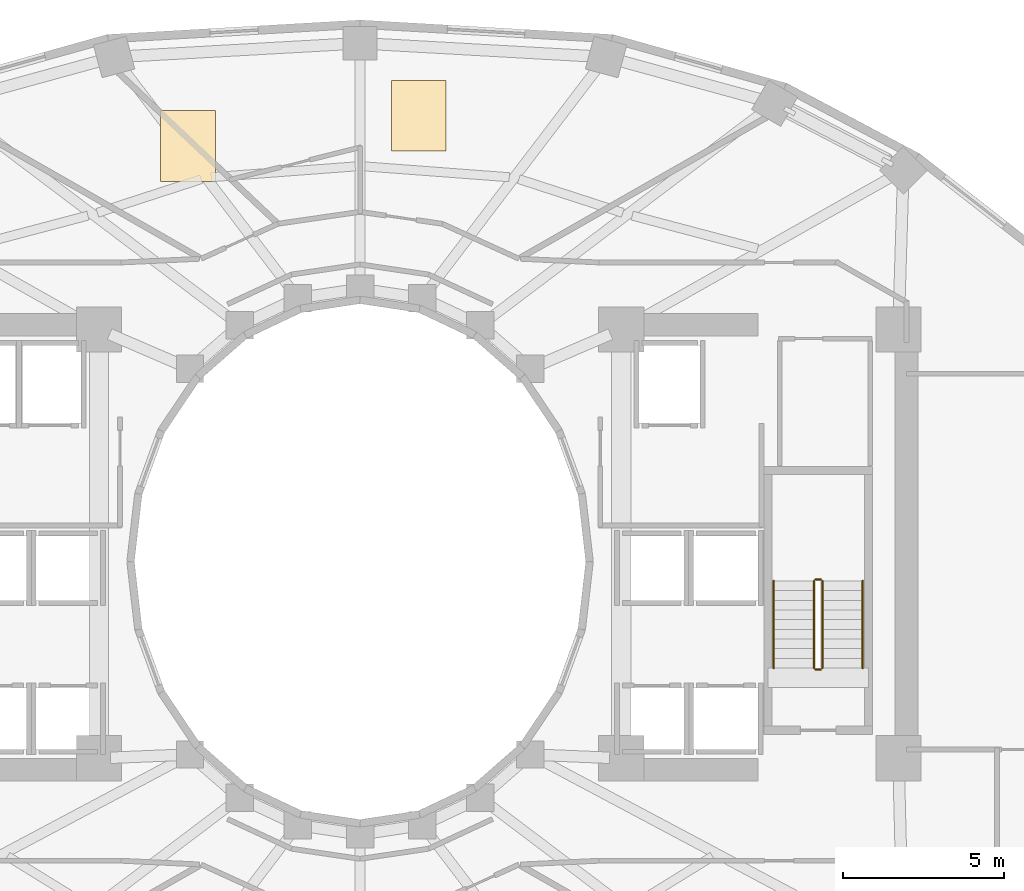
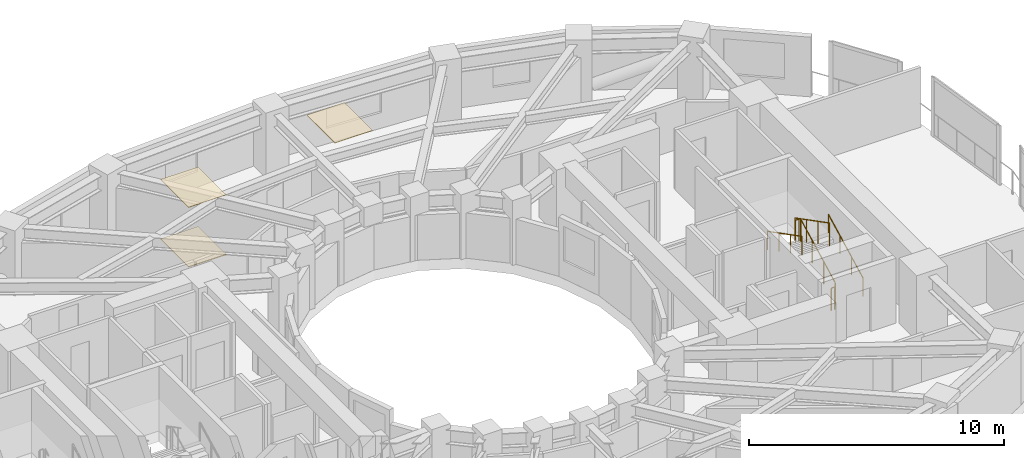
# One storey, part 12 of 13: 6 railings, 3 coverings.
"""IFC4 building model written with IfcOpenShell, lengths in metres."""

import ifcopenshell
import ifcopenshell.guid

model = None  # the IFC model being written
_history = None  # IfcOwnerHistory: only IFC2X3 demands one
_inside = {}  # id of a spatial element -> (the spatial element, [elements in it])
_under = {}  # id of a project, library or spatial element -> (it, [spatial elements below it])
_declared = {}  # id of a project -> (the project, [libraries it declares])
_typed = {}  # id of a type object -> (the type object, [elements of that type])
_made_of = {}  # id of a material, layer set ... -> (it, [elements and type objects made of it])


def new_model(schema):
    """Start an empty IFC model of exactly this schema.

    Asked for "IFC4X3", IfcOpenShell would pick the latest addendum, in which some entities
    have other attributes; the version numbers below select the first issue.
    IFC2X3 requires an IfcOwnerHistory on every rooted entity: one is made here for all.
    """
    global model, _history
    if schema == "IFC4X3":
        model = ifcopenshell.file(schema_version=(4, 3, 0, 0))
    else:
        model = ifcopenshell.file(schema=schema)
    _inside.clear()
    _under.clear()
    _declared.clear()
    _typed.clear()
    _made_of.clear()
    _history = None
    if model.schema == "IFC2X3":
        org = make("IfcOrganization", Name="unknown")
        user = make(
            "IfcPersonAndOrganization",
            ThePerson=make("IfcPerson", FamilyName="unknown"),
            TheOrganization=org,
        )
        app = make(
            "IfcApplication",
            ApplicationDeveloper=org,
            Version="unknown",
            ApplicationFullName="unknown",
            ApplicationIdentifier="unknown",
        )
        _history = make(
            "IfcOwnerHistory",
            OwningUser=user,
            OwningApplication=app,
            ChangeAction="ADDED",
            CreationDate=0,
        )
    return model


def make(cls, **values):
    """One entity of the class cls with the attributes given. An attribute that is None is left unset."""
    return model.create_entity(
        cls, **{name: value for name, value in values.items() if value is not None}
    )


def rooted(cls, **values):
    """An entity with a GlobalId (a new one), such as an element, a storey or a relation."""
    return make(cls, GlobalId=ifcopenshell.guid.new(), OwnerHistory=_history, **values)


def si_unit(unit_type, name, prefix=None):
    """IfcSIUnit, for example si_unit("LENGTHUNIT", "METRE", prefix="MILLI")."""
    return make("IfcSIUnit", UnitType=unit_type, Prefix=prefix, Name=name)


def assignment(units):
    """IfcUnitAssignment: the units of a project."""
    return None if units is None else make("IfcUnitAssignment", Units=units)


def point(xyz):
    """IfcCartesianPoint."""
    return None if xyz is None else make("IfcCartesianPoint", Coordinates=xyz)


def direction(xyz):
    """IfcDirection."""
    return None if xyz is None else make("IfcDirection", DirectionRatios=xyz)


def frame(location, z_axis=None, x_axis=None):
    """IfcAxis2Placement3D, a coordinate frame: its origin and axes. An axis left out is left unset."""
    return make(
        "IfcAxis2Placement3D",
        Location=point(location),
        Axis=direction(z_axis),
        RefDirection=direction(x_axis),
    )


def frame_2d(location, x_axis=None):
    """IfcAxis2Placement2D, a coordinate frame in the plane: its origin and x axis."""
    return make(
        "IfcAxis2Placement2D", Location=point(location), RefDirection=direction(x_axis)
    )


def origin():
    """The frame at (0, 0, 0) with its axes left unset."""
    return frame((0.0, 0.0, 0.0))


def origin_2d():
    """The frame at (0, 0) in the plane with its x axis left unset."""
    return frame_2d((0.0, 0.0))


def place(relative_to, where):
    """IfcLocalPlacement: puts the frame where relative to a parent placement (None: the world)."""
    return make(
        "IfcLocalPlacement", PlacementRelTo=relative_to, RelativePlacement=where
    )


def context(
    kind, dimensions, precision=None, world=None, true_north=None, identifier=None
):
    """IfcGeometricRepresentationContext, for example the 3D "Model" context."""
    return make(
        "IfcGeometricRepresentationContext",
        ContextIdentifier=identifier,
        ContextType=kind,
        CoordinateSpaceDimension=dimensions,
        Precision=precision,
        WorldCoordinateSystem=world,
        TrueNorth=true_north,
    )


def subcontext(parent, identifier, kind, view, scale=None):
    """IfcGeometricRepresentationSubContext, for example "Body" below "Model"."""
    return make(
        "IfcGeometricRepresentationSubContext",
        ContextIdentifier=identifier,
        ContextType=kind,
        ParentContext=parent,
        TargetScale=scale,
        TargetView=view,
    )


def project(units=None, contexts=None):
    """IfcProject with its units and contexts."""
    return rooted(
        "IfcProject",
        Name="project",
        RepresentationContexts=contexts,
        UnitsInContext=assignment(units),
    )


def spatial(cls, under=None, at=None, **own):
    """A site, building, storey or space (cls), placed at a placement, below another one or the project."""
    s = rooted(cls, ObjectPlacement=at, **own)
    if under is not None:
        _under.setdefault(under.id(), (under, []))[1].append(s)
    return s


def polyline(points):
    """IfcPolyline through the points."""
    return make("IfcPolyline", Points=[point(p) for p in points])


def profile(cls, at=None, kind="AREA", **sizes):
    """A parametric profile (cls). Its sizes go by their IFC names, for example OverallWidth=200.0."""
    return make(cls, ProfileType=kind, Position=at, **sizes)


def circle(**sizes):
    """IfcCircleProfileDef."""
    return profile("IfcCircleProfileDef", **sizes)


def outline(outer, holes=None, kind="AREA"):
    """IfcArbitraryClosedProfileDef: a profile drawn as a closed curve; with holes, ...WithVoids."""
    if holes is None:
        return make("IfcArbitraryClosedProfileDef", ProfileType=kind, OuterCurve=outer)
    return make(
        "IfcArbitraryProfileDefWithVoids",
        ProfileType=kind,
        OuterCurve=outer,
        InnerCurves=holes,
    )


def extrude(swept, where, along, depth):
    """IfcExtrudedAreaSolid: the profile swept, set in the frame where, extruded along a direction by depth."""
    return make(
        "IfcExtrudedAreaSolid",
        SweptArea=swept,
        Position=where,
        ExtrudedDirection=direction(along),
        Depth=depth,
    )


def shape(context_of_items, identifier, shape_type, items):
    """IfcShapeRepresentation: the items that make up one representation, for example the "Body"."""
    return make(
        "IfcShapeRepresentation",
        ContextOfItems=context_of_items,
        RepresentationIdentifier=identifier,
        RepresentationType=shape_type,
        Items=items,
    )


def material(Name=None, Category=None):
    """IfcMaterial."""
    return make("IfcMaterial", Name=Name, Category=Category)


def layer(
    of_material, thickness, ventilated=None, Name=None, Category=None, Priority=None
):
    """IfcMaterialLayer: one layer of a wall or slab, of a material (None: an air gap)."""
    return make(
        "IfcMaterialLayer",
        Material=of_material,
        LayerThickness=thickness,
        IsVentilated=ventilated,
        Name=Name,
        Category=Category,
        Priority=Priority,
    )


def layer_set(layers, Name=None):
    """IfcMaterialLayerSet."""
    return make("IfcMaterialLayerSet", MaterialLayers=layers, LayerSetName=Name)


def made_of(thing, what):
    """Note that an element or type object is made of a material, layer set ...; save() writes the relation."""
    if what is not None:
        _made_of.setdefault(what.id(), (what, []))[1].append(thing)
    return thing


def type_object(cls, material=None, **own):
    """A type object (cls), such as IfcWallType, which elements share."""
    return made_of(rooted(cls, **own), material)


def element(
    cls,
    number,
    at=None,
    inside=None,
    cuts=None,
    type_object=None,
    material=None,
    context=None,
    identifier="Body",
    shape_type=None,
    held_by="IfcProductDefinitionShape",
    body=None,
    shapes=None,
    **own,
):
    """One element of the class cls, such as IfcWall. Its Tag is "e" and its number.

    at: its placement. inside: the storey or other place that contains it. cuts: it is an
    opening in that element (IfcRelVoidsElement). A single representation is given by context,
    identifier, shape_type and body (its items); several are given by shapes. held_by: the class
    of the entity that holds the representations. save() writes the other relations.
    """
    e = rooted(cls, Tag="e%d" % number, ObjectPlacement=at, **own)
    if body is not None:
        shapes = [shape(context, identifier, shape_type, body)]
    if shapes is not None:
        e.Representation = make(held_by, Representations=shapes)
    if inside is not None:
        _inside.setdefault(inside.id(), (inside, []))[1].append(e)
    if cuts is not None:
        rooted(
            "IfcRelVoidsElement", RelatingBuildingElement=cuts, RelatedOpeningElement=e
        )
    if type_object is not None:
        _typed.setdefault(type_object.id(), (type_object, []))[1].append(e)
    return made_of(e, material)


def aggregate(whole, parts):
    """IfcRelAggregates: a whole, such as a stair, and the parts it consists of."""
    return rooted("IfcRelAggregates", RelatingObject=whole, RelatedObjects=parts)


def save(model, path):
    """Write the relations noted so far, then the file.

    IfcRelAggregates (storeys below a building ...), IfcRelContainedInSpatialStructure (elements
    in a storey), IfcRelDefinesByType, IfcRelAssociatesMaterial and IfcRelDeclares: one each for
    every whole, place, type object, material and project.
    """
    for whole, parts in _under.values():
        aggregate(whole, parts)
    for where, things in _inside.values():
        rooted(
            "IfcRelContainedInSpatialStructure",
            RelatedElements=things,
            RelatingStructure=where,
        )
    for kind, things in _typed.values():
        rooted("IfcRelDefinesByType", RelatedObjects=things, RelatingType=kind)
    for what, things in _made_of.values():
        rooted("IfcRelAssociatesMaterial", RelatedObjects=things, RelatingMaterial=what)
    for by, libraries in _declared.values():
        rooted("IfcRelDeclares", RelatingContext=by, RelatedDefinitions=libraries)
    model.write(path)


model = new_model("IFC4")

# Units and contexts
model_context = context("Model", 3, precision=1e-05, world=origin(), true_north=direction((0.0, 1.0)))
body_context = subcontext(model_context, "Body", "Model", "MODEL_VIEW")
ifc_project = project(units=[si_unit("LENGTHUNIT", "METRE"), si_unit("AREAUNIT", "SQUARE_METRE"), si_unit("VOLUMEUNIT", "CUBIC_METRE"), si_unit("PLANEANGLEUNIT", "RADIAN"), si_unit("MASSUNIT", "GRAM", prefix="KILO")], contexts=[model_context])

# Site, building, storey
site_placement = place(None, origin())
site = spatial("IfcSite", under=ifc_project, at=site_placement, CompositionType="ELEMENT")
building_placement = place(site_placement, origin())
building = spatial("IfcBuilding", under=site, at=building_placement, Name="Solvane Sanctuary Tower", CompositionType="ELEMENT")
storey_placement = place(building_placement, frame((0.0, 0.0, 85.60009765625)))
storey = spatial("IfcBuildingStorey", under=building, at=storey_placement, Name="L25", CompositionType="ELEMENT", Elevation=85.60009765625)

# Coverings
ifc_material_1 = material(Name="Acoustic Gypsum Partition Board")
ifc_layer_1 = layer(ifc_material_1, 0.02490234375, Name="Acoustic Gypsum Partition Board")
ifc_layer_set_1 = layer_set([ifc_layer_1], Name="Acoustic Gypsum Partition Board")
covering_type_1 = type_object("IfcCoveringType", Name="Covering CLG-ACOUST", PredefinedType="CEILING", material=ifc_layer_set_1)
covering_1_placement = place(storey_placement, frame((0.0, 0.0, 2.849853515625)))
element("IfcCovering", 1, at=covering_1_placement, inside=storey, type_object=covering_type_1, Name="L25 Unit Acoustic Ceiling Panel 1", PredefinedType="CEILING", context=body_context, shape_type="SweptSolid", body=[
    extrude(outline(polyline([(32.970947265625, 35.73095703125), (34.6708984375, 35.73095703125), (34.6708984375, 37.930908203125), (32.970947265625, 37.930908203125), (32.970947265625, 35.73095703125)])), origin(), (0.0, 0.0, 1.0), 0.030029296875),
])
covering_2_placement = place(storey_placement, frame((0.0, 0.0, 2.849853515625)))
element("IfcCovering", 2, at=covering_2_placement, inside=storey, type_object=covering_type_1, Name="L25 Unit Acoustic Ceiling Panel 2", PredefinedType="CEILING", context=body_context, shape_type="SweptSolid", body=[
    extrude(outline(polyline([(25.81201171875, 34.7880859375), (27.511962890625, 34.7880859375), (27.511962890625, 36.988037109375), (25.81201171875, 36.988037109375), (25.81201171875, 34.7880859375)])), origin(), (0.0, 0.0, 1.0), 0.030029296875),
])
ifc_material_2 = material(Name="Ceramic Tile Finish")
ifc_layer_2 = layer(ifc_material_2, 0.030029296875, Name="Ceramic Tile Finish")
ifc_layer_set_2 = layer_set([ifc_layer_2], Name="Ceramic Tile Finish")
covering_type_2 = type_object("IfcCoveringType", Name="Covering FLR-TERRAZZO", PredefinedType="FLOORING", material=ifc_layer_set_2)
covering_3_placement = place(storey_placement, origin())
element("IfcCovering", 3, at=covering_3_placement, inside=storey, type_object=covering_type_2, Name="L25 Unit Terrazzo Inlay 2", PredefinedType="FLOORING", context=body_context, shape_type="SweptSolid", body=[
    extrude(outline(polyline([(25.81201171875, 34.7880859375), (27.511962890625, 34.7880859375), (27.511962890625, 36.988037109375), (25.81201171875, 36.988037109375), (25.81201171875, 34.7880859375)])), origin(), (0.0, 0.0, 1.0), 0.034912109375),
])

# Railings
ifc_material_3 = material(Name="Architectural Stainless Steel 316", Category="steel")
railing_type_1 = type_object("IfcRailingType", Name="Railing GR-BALC-1150", PredefinedType="BALUSTRADE", material=ifc_material_3)
railing_1_placement = place(storey_placement, frame((46.340087890625, 19.699951171875, 0.15478515625)))
element("IfcRailing", 4, at=railing_1_placement, inside=storey, type_object=railing_type_1, Name="L25 ST-2 stair guard 1", PredefinedType="BALUSTRADE", context=body_context, shape_type="SweptSolid", body=[
    extrude(circle(Radius=0.02392578125, at=origin_2d()), frame((0.0, 0.0, 1.076171875), z_axis=(0.0, 0.888419900624, 0.459031676658), x_axis=(-1.0, 0.0, 0.0)), (0.0, 0.0, 1.0), 3.0390625),
    extrude(circle(Radius=0.02099609375, at=origin_2d()), origin(), (0.0, 0.0, 1.0), 1.052001953125),
    extrude(circle(Radius=0.02099609375, at=origin_2d()), frame((0.0, 0.89990234375, 0.465087890625)), (0.0, 0.0, 1.0), 1.052001953125),
    extrude(circle(Radius=0.02099609375, at=origin_2d()), frame((0.0, 1.800048828125, 0.929931640625)), (0.0, 0.0, 1.0), 1.052001953125),
    extrude(circle(Radius=0.02099609375, at=origin_2d()), frame((0.0, 2.699951171875, 1.39501953125)), (0.0, 0.0, 1.0), 1.052001953125),
])
railing_2_placement = place(storey_placement, frame((46.2900390625, 22.449951171875, 1.5498046875)))
element("IfcRailing", 5, at=railing_2_placement, inside=storey, type_object=railing_type_1, Name="L25 ST-2 stair guard 2", PredefinedType="BALUSTRADE", context=body_context, shape_type="SweptSolid", body=[
    extrude(circle(Radius=0.02392578125, at=origin_2d()), frame((0.0, 0.0, 1.076171875), z_axis=(-1.0, 0.0, 0.0), x_axis=(0.0, -1.0, 0.0)), (0.0, 0.0, 1.0), 0.16015625),
    extrude(circle(Radius=0.02099609375, at=origin_2d()), origin(), (0.0, 0.0, 1.0), 1.052001953125),
    extrude(circle(Radius=0.02099609375, at=origin_2d()), frame((-0.16015625, 0.0, 0.0)), (0.0, 0.0, 1.0), 1.052001953125),
])
railing_3_placement = place(storey_placement, frame((46.080078125, 22.39990234375, 1.704833984375)))
element("IfcRailing", 6, at=railing_3_placement, inside=storey, type_object=railing_type_1, Name="L25 ST-2 stair guard 3", PredefinedType="BALUSTRADE", context=body_context, shape_type="SweptSolid", body=[
    extrude(circle(Radius=0.02392578125, at=origin_2d()), frame((0.0, 0.0, 1.076171875), z_axis=(0.0, -0.888419900624, 0.459031676658), x_axis=(1.0, 0.0, 0.0)), (0.0, 0.0, 1.0), 3.0390625),
    extrude(circle(Radius=0.02099609375, at=origin_2d()), origin(), (0.0, 0.0, 1.0), 1.052001953125),
    extrude(circle(Radius=0.02099609375, at=origin_2d()), frame((0.0, -0.89990234375, 0.465087890625)), (0.0, 0.0, 1.0), 1.052001953125),
    extrude(circle(Radius=0.02099609375, at=origin_2d()), frame((0.0, -1.800048828125, 0.929931640625)), (0.0, 0.0, 1.0), 1.052001953125),
    extrude(circle(Radius=0.02099609375, at=origin_2d()), frame((0.0, -2.699951171875, 1.39501953125)), (0.0, 0.0, 1.0), 1.052001953125),
])
railing_4_placement = place(storey_placement, frame((46.2900390625, 19.64990234375, 0.0)))
element("IfcRailing", 7, at=railing_4_placement, inside=storey, type_object=railing_type_1, Name="L25 ST-2 stair guard 4", PredefinedType="BALUSTRADE", context=body_context, shape_type="SweptSolid", body=[
    extrude(circle(Radius=0.02392578125, at=origin_2d()), frame((0.0, 0.0, 1.076171875), z_axis=(-1.0, 0.0, 0.0), x_axis=(0.0, -1.0, 0.0)), (0.0, 0.0, 1.0), 0.16015625),
    extrude(circle(Radius=0.02099609375, at=origin_2d()), origin(), (0.0, 0.0, 1.0), 1.052001953125),
    extrude(circle(Radius=0.02099609375, at=origin_2d()), frame((-0.16015625, 0.0, 0.0)), (0.0, 0.0, 1.0), 1.052001953125),
])
railing_type_2 = type_object("IfcRailingType", Name="Railing HR-STAIR-920", PredefinedType="HANDRAIL", material=ifc_material_3)
railing_5_placement = place(storey_placement, frame((47.590087890625, 19.699951171875, 0.15478515625)))
element("IfcRailing", 8, at=railing_5_placement, inside=storey, type_object=railing_type_2, Name="L25 ST-2 stair handrail 1", PredefinedType="HANDRAIL", context=body_context, shape_type="SweptSolid", body=[
    extrude(circle(Radius=0.02392578125, at=origin_2d()), frame((0.0, 0.0, 0.8759765625), z_axis=(0.0, 0.888419900624, 0.459031676658), x_axis=(-1.0, 0.0, 0.0)), (0.0, 0.0, 1.0), 3.0390625),
    extrude(circle(Radius=0.02099609375, at=origin_2d()), origin(), (0.0, 0.0, 1.0), 0.851806640625),
    extrude(circle(Radius=0.02099609375, at=origin_2d()), frame((0.0, 0.89990234375, 0.465087890625)), (0.0, 0.0, 1.0), 0.851806640625),
    extrude(circle(Radius=0.02099609375, at=origin_2d()), frame((0.0, 1.800048828125, 0.929931640625)), (0.0, 0.0, 1.0), 0.851806640625),
    extrude(circle(Radius=0.02099609375, at=origin_2d()), frame((0.0, 2.699951171875, 1.39501953125)), (0.0, 0.0, 1.0), 0.851806640625),
])
railing_6_placement = place(storey_placement, frame((44.830078125, 22.39990234375, 1.704833984375)))
element("IfcRailing", 9, at=railing_6_placement, inside=storey, type_object=railing_type_2, Name="L25 ST-2 stair handrail 2", PredefinedType="HANDRAIL", context=body_context, shape_type="SweptSolid", body=[
    extrude(circle(Radius=0.02392578125, at=origin_2d()), frame((0.0, 0.0, 0.8759765625), z_axis=(0.0, -0.888419900624, 0.459031676658), x_axis=(1.0, 0.0, 0.0)), (0.0, 0.0, 1.0), 3.0390625),
    extrude(circle(Radius=0.02099609375, at=origin_2d()), origin(), (0.0, 0.0, 1.0), 0.851806640625),
    extrude(circle(Radius=0.02099609375, at=origin_2d()), frame((0.0, -0.89990234375, 0.465087890625)), (0.0, 0.0, 1.0), 0.851806640625),
    extrude(circle(Radius=0.02099609375, at=origin_2d()), frame((0.0, -1.800048828125, 0.929931640625)), (0.0, 0.0, 1.0), 0.851806640625),
    extrude(circle(Radius=0.02099609375, at=origin_2d()), frame((0.0, -2.699951171875, 1.39501953125)), (0.0, 0.0, 1.0), 0.851806640625),
])

save(model, "model.ifc")
